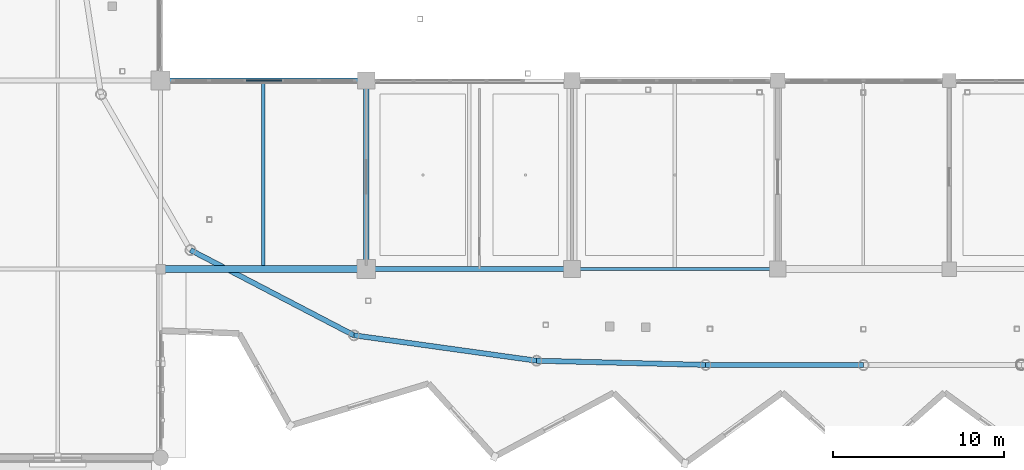
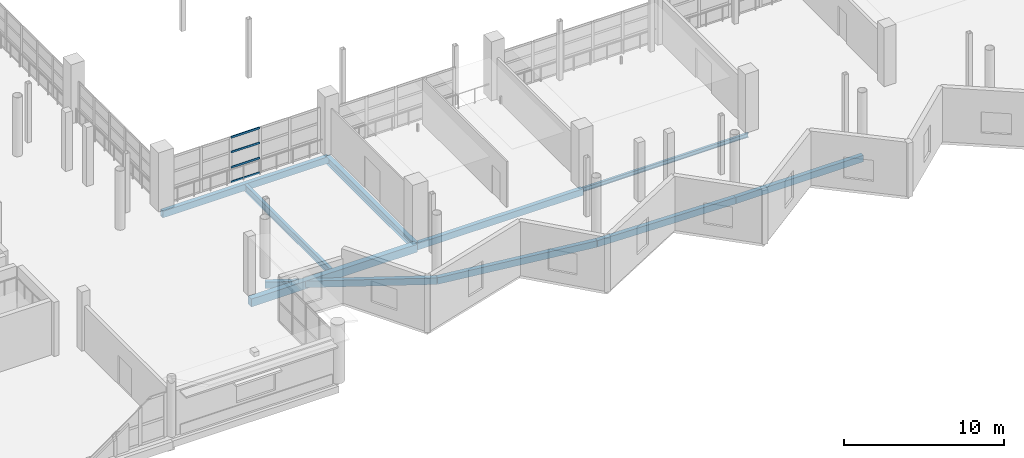
# One storey, part 33 of 118: 10 beams, 4 members, 1 element without a shape of its own.
"""IFC4 building model written with IfcOpenShell, lengths in metres."""

from ifc_helpers import new_model, si_unit, direction, frame, origin, origin_2d, place, context, subcontext, project, spatial, rectangle, hollow_rectangle, i_section, extrude, material, material_profile, profile_set, type_object, element, aggregate, save


model = new_model("IFC4")

# Units and contexts
model_context = context("Model", 3, precision=1e-05, world=origin(), true_north=direction((0.0, 1.0)))
body_context = subcontext(model_context, "Body", "Model", "MODEL_VIEW")
ifc_project = project(units=[si_unit("LENGTHUNIT", "METRE"), si_unit("AREAUNIT", "SQUARE_METRE"), si_unit("VOLUMEUNIT", "CUBIC_METRE"), si_unit("PLANEANGLEUNIT", "RADIAN"), si_unit("MASSUNIT", "GRAM", prefix="KILO")], contexts=[model_context])

# Site, building, storey
site_placement = place(None, origin())
site = spatial("IfcSite", under=ifc_project, at=site_placement, CompositionType="ELEMENT")
building_placement = place(site_placement, origin())
building = spatial("IfcBuilding", under=site, at=building_placement, Name="Luwafu Chhajja Arena", CompositionType="ELEMENT")
storey_placement = place(building_placement, frame((0.0, 0.0, 10.199951171875)))
storey = spatial("IfcBuildingStorey", under=building, at=storey_placement, Name="L02", CompositionType="ELEMENT", Elevation=10.199951171875)

# Curtain wall, members
ifc_material_1 = material(Name="Anodised bronze aluminium", Category="aluminium")
curtain_wall_type = type_object("IfcCurtainWallType", Name="Hospitality Ring Curtain Wall", PredefinedType="USERDEFINED", material=ifc_material_1)
curtain_wall_placement = place(storey_placement, origin())
curtain_wall = element("IfcCurtainWall", 1, at=curtain_wall_placement, inside=storey, type_object=curtain_wall_type, Name="L02 Bowl Viewing Curtain Wall CWR-L02-01", ObjectType="CURTAIN WALL", PredefinedType="USERDEFINED")
ifc_material_profile_1 = material_profile(ifc_material_1, rectangle(XDim=0.06494140625, YDim=0.14990234375, at=origin_2d()), Name="CWT 65x150")
ifc_profile_set_1 = profile_set([ifc_material_profile_1], Name="Anodised bronze aluminium")
member_type = type_object("IfcMemberType", Name="Bronze Curtain Wall Transom 65x150", PredefinedType="USERDEFINED", material=ifc_profile_set_1)
member_1_placement = place(storey_placement, frame((62.990478515625, 22.0, 0.032470703125), z_axis=(1.0, 0.0, 0.0), x_axis=(0.0, 1.0, 0.0)))
member_1 = element("IfcMember", 2, at=member_1_placement, type_object=member_type, Name="CW-02 transom 3.1", ObjectType="TRANSOM", PredefinedType="USERDEFINED", context=body_context, shape_type="SweptSolid", body=[
    extrude(rectangle(XDim=0.06494140625, YDim=0.14990234375, at=origin_2d()), origin(), (0.0, 0.0, 1.0), 2.069091796875),
])
member_2_placement = place(storey_placement, frame((62.990478515625, 22.0, 1.150146484375), z_axis=(1.0, 0.0, 0.0), x_axis=(0.0, 1.0, 0.0)))
member_2 = element("IfcMember", 3, at=member_2_placement, type_object=member_type, Name="CW-02 transom 3.2", ObjectType="TRANSOM", PredefinedType="USERDEFINED", context=body_context, shape_type="SweptSolid", body=[
    extrude(rectangle(XDim=0.06494140625, YDim=0.14990234375, at=origin_2d()), origin(), (0.0, 0.0, 1.0), 2.069091796875),
])
member_3_placement = place(storey_placement, frame((62.990478515625, 22.0, 2.31005859375), z_axis=(1.0, 0.0, 0.0), x_axis=(0.0, 1.0, 0.0)))
member_3 = element("IfcMember", 4, at=member_3_placement, type_object=member_type, Name="CW-02 transom 3.3", ObjectType="TRANSOM", PredefinedType="USERDEFINED", context=body_context, shape_type="SweptSolid", body=[
    extrude(rectangle(XDim=0.06494140625, YDim=0.14990234375, at=origin_2d()), origin(), (0.0, 0.0, 1.0), 2.069091796875),
])
member_4_placement = place(storey_placement, frame((62.990478515625, 22.0, 3.437255859375), z_axis=(1.0, 0.0, 0.0), x_axis=(0.0, 1.0, 0.0)))
member_4 = element("IfcMember", 5, at=member_4_placement, type_object=member_type, Name="CW-02 transom 3.4", ObjectType="TRANSOM", PredefinedType="USERDEFINED", context=body_context, shape_type="SweptSolid", body=[
    extrude(rectangle(XDim=0.06494140625, YDim=0.14990234375, at=origin_2d()), origin(), (0.0, 0.0, 1.0), 2.069091796875),
])
aggregate(curtain_wall, [member_1, member_2, member_3, member_4])

# Beams
ifc_material_2 = material(Name="Steel S355", Category="steel")
ifc_material_profile_2 = material_profile(ifc_material_2, i_section(OverallWidth=0.165771484375, OverallDepth=0.306640625, WebThickness=0.006591796875, FlangeThickness=0.01171875, at=origin_2d()), Name="UB 305x165x46")
ifc_profile_set_2 = profile_set([ifc_material_profile_2], Name="Steel S355")
beam_type_1 = type_object("IfcBeamType", Name="Concourse Edge Spandrel Beam UB 305x165x46", PredefinedType="SPANDREL", material=ifc_profile_set_2)
beam_1_placement = place(storey_placement, frame((82.0, 11.0, -0.543212890625), z_axis=(1.0, 0.0, 0.0), x_axis=(0.0, 1.0, 0.0)))
element("IfcBeam", 6, at=beam_1_placement, inside=storey, type_object=beam_type_1, Name="L02 Grid Beam 8-9/B", PredefinedType="SPANDREL", context=body_context, shape_type="SweptSolid", body=[
    extrude(i_section(OverallWidth=0.165771484375, OverallDepth=0.306640625, WebThickness=0.006591796875, FlangeThickness=0.01171875, at=origin_2d()), origin(), (0.0, 0.0, 1.0), 12.0),
])
ifc_material_profile_3 = material_profile(ifc_material_2, i_section(OverallWidth=0.2099609375, OverallDepth=0.53662109375, WebThickness=0.0107421875, FlangeThickness=0.017333984375, at=origin_2d()), Name="UB 533x210x101")
ifc_profile_set_3 = profile_set([ifc_material_profile_3], Name="Steel S355")
beam_type_2 = type_object("IfcBeamType", Name="Floor Joist UB 533x210x101", PredefinedType="JOIST", material=ifc_profile_set_3)
beam_2_placement = place(storey_placement, frame((64.0, 11.199951171875, -0.658203125), z_axis=(0.0, 1.0, 0.0), x_axis=(-1.0, 0.0, 0.0)))
element("IfcBeam", 7, at=beam_2_placement, inside=storey, type_object=beam_type_2, Name="L02 Secondary Joist 6-7/B", PredefinedType="JOIST", context=body_context, shape_type="SweptSolid", body=[
    extrude(i_section(OverallWidth=0.2099609375, OverallDepth=0.53662109375, WebThickness=0.0107421875, FlangeThickness=0.017333984375, at=origin_2d()), origin(), (0.0, 0.0, 1.0), 10.650146484375),
])
ifc_material_profile_4 = material_profile(ifc_material_2, hollow_rectangle(XDim=0.300048828125, YDim=0.5, WallThickness=0.02001953125, at=origin_2d()), Name="RHS 500x300x20")
ifc_profile_set_4 = profile_set([ifc_material_profile_4], Name="Steel S355")
beam_type_3 = type_object("IfcBeamType", Name="Pleated Drum Spandrel Beam RHS 500x300", PredefinedType="SPANDREL", material=ifc_profile_set_4)
for number, where, z_axis, x_axis, name in (
    (8, (58.0, 22.0, -0.639892578125), (1.0, 0.0, 0.0), (0.0, 1.0, 0.0), "L02 Grid Beam 6-7/C"),
    (9, (70.0, 11.0, -0.639892578125), (1.0, 0.0, 0.0), (0.0, 1.0, 0.0), "L02 Grid Beam 7-8/B"),
):
    element("IfcBeam", number, at=place(storey_placement, frame(where, z_axis=z_axis, x_axis=x_axis)), inside=storey, type_object=beam_type_3, Name=name, PredefinedType="SPANDREL", context=body_context, shape_type="SweptSolid", body=[
        extrude(hollow_rectangle(XDim=0.300048828125, YDim=0.5, WallThickness=0.02001953125, at=origin_2d()), origin(), (0.0, 0.0, 1.0), 12.0),
    ])
beam_3_placement = place(storey_placement, frame((59.743896484375, 12.109130859375, -0.639892578125), z_axis=(0.886755170812, -0.462239404463, 0.0), x_axis=(0.462239404463, 0.886755170812, 0.0)))
element("IfcBeam", 10, at=beam_3_placement, inside=storey, type_object=beam_type_3, Name="L02 Drum Ring Spandrel D21-D22", PredefinedType="SPANDREL", context=body_context, shape_type="SweptSolid", body=[
    extrude(hollow_rectangle(XDim=0.300048828125, YDim=0.5, WallThickness=0.02001953125, at=origin_2d()), origin(), (0.0, 0.0, 1.0), 10.756103515625),
])
beam_4_placement = place(storey_placement, frame((69.281982421875, 7.13720703125, -0.639892578125), z_axis=(0.990458730054, -0.137809666058, 0.0), x_axis=(0.137809666058, 0.990458730054, 0.0)))
element("IfcBeam", 11, at=beam_4_placement, inside=storey, type_object=beam_type_3, Name="L02 Drum Ring Spandrel D22-D23", PredefinedType="SPANDREL", context=body_context, shape_type="SweptSolid", body=[
    extrude(hollow_rectangle(XDim=0.300048828125, YDim=0.5, WallThickness=0.02001953125, at=origin_2d()), origin(), (0.0, 0.0, 1.0), 10.75341796875),
])
beam_5_placement = place(storey_placement, frame((79.932861328125, 5.6552734375, -0.639892578125), z_axis=(0.999695420837, -0.024679253567, 0.0), x_axis=(0.024679253567, 0.999695420837, 0.0)))
element("IfcBeam", 12, at=beam_5_placement, inside=storey, type_object=beam_type_3, Name="L02 Drum Ring Spandrel D23-D24", PredefinedType="SPANDREL", context=body_context, shape_type="SweptSolid", body=[
    extrude(hollow_rectangle(XDim=0.300048828125, YDim=0.5, WallThickness=0.02001953125, at=origin_2d()), origin(), (0.0, 0.0, 1.0), 9.86279296875),
])
beam_6_placement = place(storey_placement, frame((89.792724609375, 5.411865234375, -0.639892578125), z_axis=(0.999999155928, -0.001299285621, 0.0), x_axis=(0.001299285621, 0.999999155928, 0.0)))
element("IfcBeam", 13, at=beam_6_placement, inside=storey, type_object=beam_type_3, Name="L02 Drum Ring Spandrel D24-D25", PredefinedType="SPANDREL", context=body_context, shape_type="SweptSolid", body=[
    extrude(hollow_rectangle(XDim=0.300048828125, YDim=0.5, WallThickness=0.02001953125, at=origin_2d()), origin(), (0.0, 0.0, 1.0), 9.207275390625),
])
ifc_material_3 = material(Name="Concrete C35/45", Category="concrete")
ifc_material_profile_5 = material_profile(ifc_material_3, rectangle(XDim=0.39990234375, YDim=0.60009765625, at=origin_2d()), Name="RC 400x600")
ifc_profile_set_5 = profile_set([ifc_material_profile_5], Name="Concrete C35/45")
beam_type_4 = type_object("IfcBeamType", Name="Podium Perimeter Spandrel RC 400x600", PredefinedType="SPANDREL", material=ifc_profile_set_5)
beam_7_placement = place(storey_placement, frame((58.0, 11.0, -0.68994140625), z_axis=(1.0, 0.0, 0.0), x_axis=(0.0, 1.0, 0.0)))
element("IfcBeam", 14, at=beam_7_placement, inside=storey, type_object=beam_type_4, Name="L02 Grid Beam 6-7/B", PredefinedType="SPANDREL", context=body_context, shape_type="SweptSolid", body=[
    extrude(rectangle(XDim=0.39990234375, YDim=0.60009765625, at=origin_2d()), origin(), (0.0, 0.0, 1.0), 12.0),
])
ifc_material_profile_6 = material_profile(ifc_material_2, i_section(OverallWidth=0.300048828125, OverallDepth=0.60009765625, WebThickness=0.015380859375, FlangeThickness=0.030029296875, at=origin_2d()), Name="HEB 600")
ifc_profile_set_6 = profile_set([ifc_material_profile_6], Name="Steel S355")
beam_type_5 = type_object("IfcBeamType", Name="Steel Gallery Girder HEB 600", PredefinedType="BEAM", material=ifc_profile_set_6)
beam_8_placement = place(storey_placement, frame((70.0, 11.0, -0.68994140625), z_axis=(0.0, 1.0, 0.0), x_axis=(-1.0, 0.0, 0.0)))
element("IfcBeam", 15, at=beam_8_placement, inside=storey, type_object=beam_type_5, Name="L02 Grid Beam 7/B-C", PredefinedType="BEAM", context=body_context, shape_type="SweptSolid", body=[
    extrude(i_section(OverallWidth=0.300048828125, OverallDepth=0.60009765625, WebThickness=0.015380859375, FlangeThickness=0.030029296875, at=origin_2d()), origin(), (0.0, 0.0, 1.0), 11.0),
])

save(model, "model.ifc")
